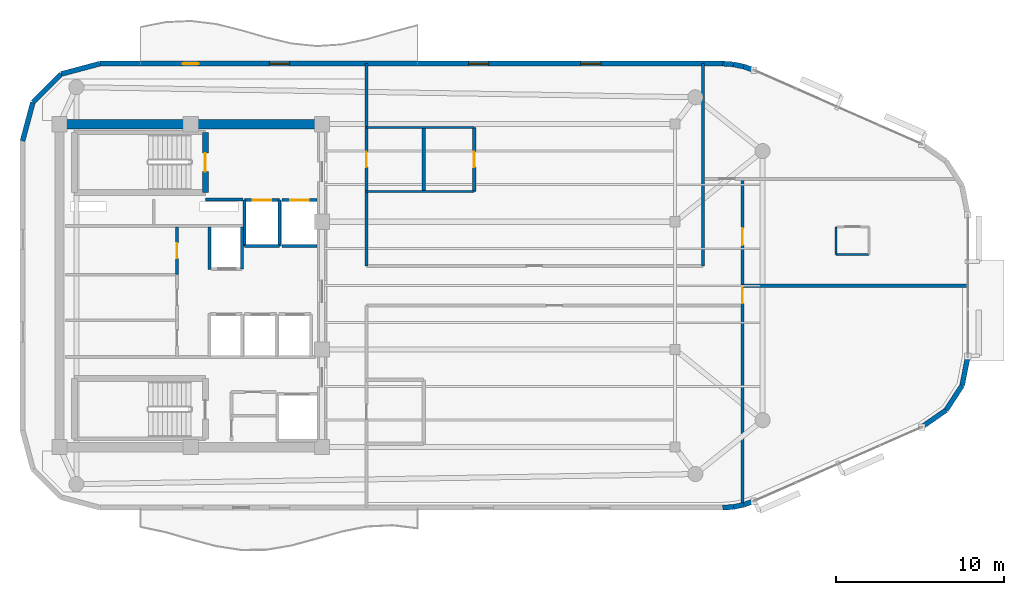
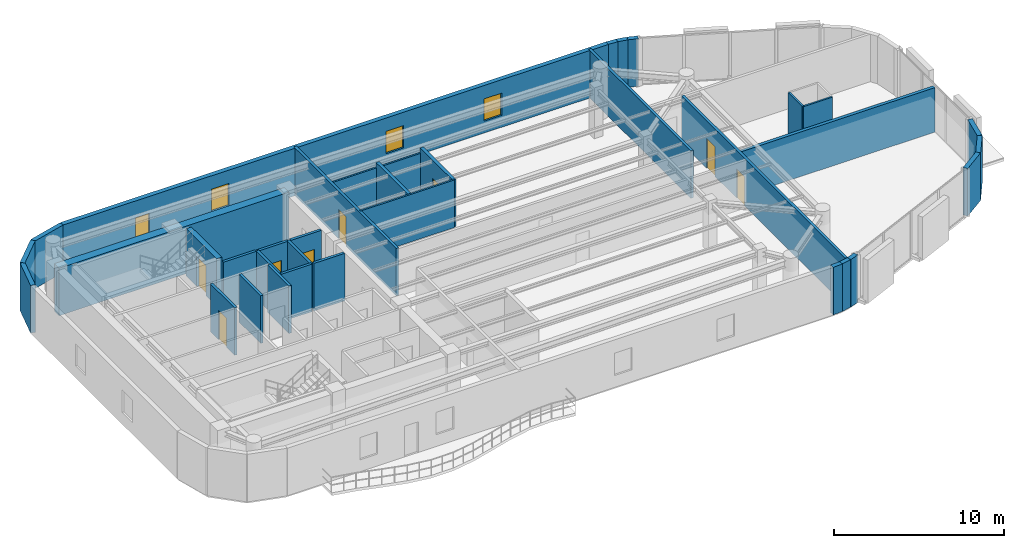
# One storey, part 9 of 12: 35 walls, 9 doors, 3 windows, 12 openings.
"""IFC4 building model written with IfcOpenShell, lengths in metres."""

from ifc_helpers import new_model, si_unit, direction, frame, frame_2d, origin, place, context, subcontext, project, spatial, rectangle, extrude, material, layer, layer_set, type_object, element, fill, save


model = new_model("IFC4")

# Units and contexts
model_context = context("Model", 3, precision=1e-05, world=origin(), true_north=direction((0.0, 1.0)))
body_context = subcontext(model_context, "Body", "Model", "MODEL_VIEW")
ifc_project = project(units=[si_unit("LENGTHUNIT", "METRE"), si_unit("AREAUNIT", "SQUARE_METRE"), si_unit("VOLUMEUNIT", "CUBIC_METRE"), si_unit("PLANEANGLEUNIT", "RADIAN"), si_unit("MASSUNIT", "GRAM", prefix="KILO")], contexts=[model_context])

# Site, building, storey
site_placement = place(None, origin())
site = spatial("IfcSite", under=ifc_project, at=site_placement, CompositionType="ELEMENT")
building_placement = place(site_placement, origin())
building = spatial("IfcBuilding", under=site, at=building_placement, Name="An Khanh Terracotta Commons", CompositionType="ELEMENT")
storey_placement = place(building_placement, frame((0.0, 0.0, 291.64990234375)))
storey = spatial("IfcBuildingStorey", under=building, at=storey_placement, Name="L76", CompositionType="ELEMENT", Elevation=291.64990234375)

# Walls
ifc_material_1 = material(Name="Concrete C50/60", Category="concrete")
ifc_layer_1 = layer(ifc_material_1, 0.550048828125, Name="Concrete C50/60")
ifc_layer_set_1 = layer_set([ifc_layer_1], Name="Concrete C50/60")
wall_type_1 = type_object("IfcWallType", Name="WALL-CORE-550", PredefinedType="SHEAR", material=ifc_layer_set_1)
wall_1_placement = place(storey_placement, frame((21.60009765625, 33.60009765625, 0.0), z_axis=(0.0, 0.0, 1.0), x_axis=(1.0, 0.0, 0.0)))
element("IfcWall", 1, at=wall_1_placement, inside=storey, type_object=wall_type_1, Name="L76 Core Wall CWALL-L76-N", PredefinedType="SHEAR", context=body_context, shape_type="SweptSolid", body=[
    extrude(rectangle(XDim=15.599853515625, YDim=0.550048828125, at=frame_2d((7.7998046875, 0.0))), origin(), (0.0, 0.0, 1.0), 3.41015625),
])
ifc_material_2 = material(Name="Fire-Rated Gypsum Board on Steel Stud", Category="steel")
ifc_layer_2 = layer(ifc_material_2, 0.179931640625, Name="Fire-Rated Gypsum Board on Steel Stud")
ifc_layer_set_2 = layer_set([ifc_layer_2], Name="Fire-Rated Gypsum Board on Steel Stud")
wall_type_2 = type_object("IfcWallType", Name="WALL-CORR-180", PredefinedType="PARTITIONING", material=ifc_layer_set_2)
wall_2_placement = place(storey_placement, frame((30.27001953125, 29.1201171875, 0.0), z_axis=(0.0, 0.0, 1.0), x_axis=(1.0, 0.0, 0.0)))
element("IfcWall", 2, at=wall_2_placement, inside=storey, type_object=wall_type_2, Name="L76 Core Wall FFLW-L76-S", PredefinedType="PARTITIONING", context=body_context, shape_type="SweptSolid", body=[
    extrude(rectangle(XDim=2.239990234375, YDim=0.179931640625, at=frame_2d((1.1201171875, 0.0))), origin(), (0.0, 0.0, 1.0), 3.41015625),
])

# Wall, opening, door
wall_3_placement = place(storey_placement, frame((32.60009765625, 29.080078125, 0.0), z_axis=(0.0, 0.0, 1.0), x_axis=(1.0, 0.0, 0.0)))
wall_3 = element("IfcWall", 3, at=wall_3_placement, inside=storey, type_object=wall_type_2, Name="L76 Core Wall LSH-L76-FFL-01-N", PredefinedType="PARTITIONING", context=body_context, shape_type="SweptSolid", body=[
    extrude(rectangle(XDim=2.079833984375, YDim=0.179931640625, at=frame_2d((1.0400390625, 0.0))), origin(), (0.0, 0.0, 1.0), 3.41015625),
])
opening_1_placement = place(wall_3_placement, frame((0.489990234375, 0.0, 0.0)))
opening_1 = element("IfcOpeningElement", 4, at=opening_1_placement, cuts=wall_3, Name="Opening LD-FFL-01-L76", PredefinedType="OPENING", context=body_context, shape_type="SweptSolid", body=[
    extrude(rectangle(XDim=1.10009765625, YDim=2.199951171875, at=frame_2d((0.550048828125, 1.10009765625))), frame((0.0, 0.099853515625, 0.0), z_axis=(0.0, -1.0, 0.0), x_axis=(1.0, 0.0, 0.0)), (0.0, 0.0, 1.0), 0.199951171875),
])
ifc_material_3 = material(Name="Brushed Stainless Steel Fire Landing Door", Category="steel")
door_type_1 = type_object("IfcDoorType", Name="DOOR-LD-FFL-1100", OperationType="NOTDEFINED", PredefinedType="DOOR", material=ifc_material_3)
door_1_placement = place(opening_1_placement, origin())
door_1 = element("IfcDoor", 5, at=door_1_placement, inside=storey, type_object=door_type_1, Name="L76 Lift FFL-01 Sliding Landing Door", OperationType="DOUBLE_DOOR_SLIDING", OverallHeight=2.199951171875, OverallWidth=1.10009765625, PredefinedType="DOOR", context=body_context, shape_type="SweptSolid", body=[
    extrude(rectangle(XDim=1.10009765625, YDim=2.199951171875, at=frame_2d((0.550048828125, 1.10009765625))), frame((0.0, 0.02490234375, 0.0), z_axis=(0.0, -1.0, 0.0), x_axis=(1.0, 0.0, 0.0)), (0.0, 0.0, 1.0), 0.050048828125),
])
fill(opening_1, door_1)

# Walls
wall_4_placement = place(storey_placement, frame((34.679931640625, 26.35009765625, 0.0), z_axis=(0.0, 0.0, 1.0), x_axis=(-1.0, 0.0, 0.0)))
element("IfcWall", 6, at=wall_4_placement, inside=storey, type_object=wall_type_2, Name="L76 Core Wall LSH-L76-FFL-01-S", PredefinedType="PARTITIONING", context=body_context, shape_type="SweptSolid", body=[
    extrude(rectangle(XDim=2.079833984375, YDim=0.179931640625, at=frame_2d((1.0400390625, 0.0))), origin(), (0.0, 0.0, 1.0), 3.41015625),
])
for number, where, z_axis, x_axis, name in (
    (7, (34.679931640625, 26.35009765625, 0.0), (0.0, 0.0, 1.0), (0.0, 1.0, 0.0), "L76 Core Wall LSH-L76-FFL-01-E"),
    (8, (32.60009765625, 29.080078125, 0.0), (0.0, 0.0, 1.0), (0.0, -1.0, 0.0), "L76 Core Wall LSH-L76-FFL-01-W"),
):
    element("IfcWall", number, at=place(storey_placement, frame(where, z_axis=z_axis, x_axis=x_axis)), inside=storey, type_object=wall_type_2, Name=name, PredefinedType="PARTITIONING", context=body_context, shape_type="SweptSolid", body=[
        extrude(rectangle(XDim=2.72998046875, YDim=0.179931640625, at=frame_2d((1.364990234375, 0.0))), origin(), (0.0, 0.0, 1.0), 3.41015625),
    ])

# Wall, opening, door
wall_5_placement = place(storey_placement, frame((34.820068359375, 29.080078125, 0.0), z_axis=(0.0, 0.0, 1.0), x_axis=(1.0, 0.0, 0.0)))
wall_5 = element("IfcWall", 9, at=wall_5_placement, inside=storey, type_object=wall_type_2, Name="L76 Core Wall LSH-L76-FFL-02-N", PredefinedType="PARTITIONING", context=body_context, shape_type="SweptSolid", body=[
    extrude(rectangle(XDim=2.079833984375, YDim=0.179931640625, at=frame_2d((1.0400390625, 0.0))), origin(), (0.0, 0.0, 1.0), 3.41015625),
])
opening_2_placement = place(wall_5_placement, frame((0.489990234375, 0.0, 0.0)))
opening_2 = element("IfcOpeningElement", 10, at=opening_2_placement, cuts=wall_5, Name="Opening LD-FFL-02-L76", PredefinedType="OPENING", context=body_context, shape_type="SweptSolid", body=[
    extrude(rectangle(XDim=1.10009765625, YDim=2.199951171875, at=frame_2d((0.550048828125, 1.10009765625))), frame((0.0, 0.099853515625, 0.0), z_axis=(0.0, -1.0, 0.0), x_axis=(1.0, 0.0, 0.0)), (0.0, 0.0, 1.0), 0.199951171875),
])
door_2_placement = place(opening_2_placement, origin())
door_2 = element("IfcDoor", 11, at=door_2_placement, inside=storey, type_object=door_type_1, Name="L76 Lift FFL-02 Sliding Landing Door", OperationType="DOUBLE_DOOR_SLIDING", OverallHeight=2.199951171875, OverallWidth=1.10009765625, PredefinedType="DOOR", context=body_context, shape_type="SweptSolid", body=[
    extrude(rectangle(XDim=1.10009765625, YDim=2.199951171875, at=frame_2d((0.550048828125, 1.10009765625))), frame((0.0, 0.02490234375, 0.0), z_axis=(0.0, -1.0, 0.0), x_axis=(1.0, 0.0, 0.0)), (0.0, 0.0, 1.0), 0.050048828125),
])
fill(opening_2, door_2)

# Walls
wall_6_placement = place(storey_placement, frame((36.89990234375, 26.35009765625, 0.0), z_axis=(0.0, 0.0, 1.0), x_axis=(-1.0, 0.0, 0.0)))
element("IfcWall", 12, at=wall_6_placement, inside=storey, type_object=wall_type_2, Name="L76 Core Wall LSH-L76-FFL-02-S", PredefinedType="PARTITIONING", context=body_context, shape_type="SweptSolid", body=[
    extrude(rectangle(XDim=2.079833984375, YDim=0.179931640625, at=frame_2d((1.0400390625, 0.0))), origin(), (0.0, 0.0, 1.0), 3.41015625),
])
wall_7_placement = place(storey_placement, frame((32.4599609375, 25.0, 0.0), z_axis=(0.0, 0.0, 1.0), x_axis=(0.0, 1.0, 0.0)))
element("IfcWall", 13, at=wall_7_placement, inside=storey, type_object=wall_type_2, Name="L76 Core Wall LSH-L76-PL-H1-E", PredefinedType="PARTITIONING", context=body_context, shape_type="SweptSolid", body=[
    extrude(rectangle(XDim=2.5, YDim=0.179931640625, at=frame_2d((1.25, 0.0))), origin(), (0.0, 0.0, 1.0), 3.41015625),
])
wall_8_placement = place(storey_placement, frame((30.52001953125, 24.949951171875, 0.0), z_axis=(0.0, 0.0, 1.0), x_axis=(0.0, 1.0, 0.0)))
element("IfcWall", 14, at=wall_8_placement, inside=storey, type_object=wall_type_2, Name="L76 Core Wall RECW-L76-BE1", PredefinedType="PARTITIONING", context=body_context, shape_type="SweptSolid", body=[
    extrude(rectangle(XDim=2.550048828125, YDim=0.179931640625, at=frame_2d((1.27490234375, 0.0))), origin(), (0.0, 0.0, 1.0), 3.41015625),
])

# Wall, opening, door
wall_9_placement = place(storey_placement, frame((28.580078125, 24.64990234375, 0.0), z_axis=(0.0, 0.0, 1.0), x_axis=(0.0, 1.0, 0.0)))
wall_9 = element("IfcWall", 15, at=wall_9_placement, inside=storey, type_object=wall_type_2, Name="L76 Core Wall RECW-L76-E1", PredefinedType="PARTITIONING", context=body_context, shape_type="SweptSolid", body=[
    extrude(rectangle(XDim=2.85009765625, YDim=0.179931640625, at=frame_2d((1.425048828125, 0.0))), origin(), (0.0, 0.0, 1.0), 3.41015625),
])
opening_3_placement = place(wall_9_placement, frame((0.965087890625, 0.0, 0.0)))
opening_3 = element("IfcOpeningElement", 16, at=opening_3_placement, cuts=wall_9, Name="Opening D-RM", PredefinedType="OPENING", context=body_context, shape_type="SweptSolid", body=[
    extrude(rectangle(XDim=0.919921875, YDim=2.10009765625, at=frame_2d((0.4599609375, 1.050048828125))), frame((0.0, 0.099853515625, 0.0), z_axis=(0.0, -1.0, 0.0), x_axis=(1.0, 0.0, 0.0)), (0.0, 0.0, 1.0), 0.199951171875),
])
ifc_material_4 = material(Name="Engineered Hardwood Timber Leaf", Category="wood")
door_type_2 = type_object("IfcDoorType", Name="DOOR-INT-920", OperationType="NOTDEFINED", PredefinedType="DOOR", material=ifc_material_4)
door_3_placement = place(opening_3_placement, origin())
door_3 = element("IfcDoor", 17, at=door_3_placement, inside=storey, type_object=door_type_2, Name="L76 Quiet Focus Pod Door", OperationType="SINGLE_SWING_RIGHT", OverallHeight=2.10009765625, OverallWidth=0.919921875, PredefinedType="DOOR", context=body_context, shape_type="SweptSolid", body=[
    extrude(rectangle(XDim=0.919921875, YDim=2.10009765625, at=frame_2d((0.4599609375, 1.050048828125))), frame((0.0, 0.02490234375, 0.0), z_axis=(0.0, -1.0, 0.0), x_axis=(1.0, 0.0, 0.0)), (0.0, 0.0, 1.0), 0.050048828125),
])
fill(opening_3, door_3)

wall_10_placement = place(storey_placement, frame((39.85009765625, 25.179931640625, 0.0), z_axis=(0.0, 0.0, 1.0), x_axis=(0.0, 1.0, 0.0)))
wall_10 = element("IfcWall", 18, at=wall_10_placement, inside=storey, type_object=wall_type_2, Name="L76 Interior Partition IW-L76-E010", PredefinedType="PARTITIONING", context=body_context, shape_type="SweptSolid", body=[
    extrude(rectangle(XDim=12.02001953125, YDim=0.179931640625, at=frame_2d((6.010009765625, 0.0))), origin(), (0.0, 0.0, 1.0), 3.41015625),
])
opening_4_placement = place(wall_10_placement, frame((5.8701171875, 0.0, 0.0)))
opening_4 = element("IfcOpeningElement", 19, at=opening_4_placement, cuts=wall_10, Name="Opening D-WC", PredefinedType="OPENING", context=body_context, shape_type="SweptSolid", body=[
    extrude(rectangle(XDim=0.89990234375, YDim=2.10009765625, at=frame_2d((0.449951171875, 1.050048828125))), frame((0.0, 0.099853515625, 0.0), z_axis=(0.0, -1.0, 0.0), x_axis=(1.0, 0.0, 0.0)), (0.0, 0.0, 1.0), 0.199951171875),
])
ifc_material_5 = material(Name="Laminate Moisture-Resistant Timber Leaf", Category="wood")
door_type_3 = type_object("IfcDoorType", Name="DOOR-WC-900", OperationType="NOTDEFINED", PredefinedType="DOOR", material=ifc_material_5)
door_4_placement = place(opening_4_placement, origin())
door_4 = element("IfcDoor", 20, at=door_4_placement, inside=storey, type_object=door_type_3, Name="L76 AWC Accessible WC Door", OperationType="SINGLE_SWING_RIGHT", OverallHeight=2.10009765625, OverallWidth=0.89990234375, PredefinedType="DOOR", context=body_context, shape_type="SweptSolid", body=[
    extrude(rectangle(XDim=0.89990234375, YDim=2.10009765625, at=frame_2d((0.449951171875, 1.050048828125))), frame((0.0, 0.02490234375, 0.0), z_axis=(0.0, -1.0, 0.0), x_axis=(1.0, 0.0, 0.0)), (0.0, 0.0, 1.0), 0.050048828125),
])
fill(opening_4, door_4)

# Wall
wall_11_placement = place(storey_placement, frame((59.85009765625, 25.179931640625, 0.0), z_axis=(0.0, 0.0, 1.0), x_axis=(0.0, 1.0, 0.0)))
element("IfcWall", 21, at=wall_11_placement, inside=storey, type_object=wall_type_2, Name="L76 Interior Partition IW-L76-E014", PredefinedType="PARTITIONING", context=body_context, shape_type="SweptSolid", body=[
    extrude(rectangle(XDim=12.02001953125, YDim=0.179931640625, at=frame_2d((6.010009765625, 0.0))), origin(), (0.0, 0.0, 1.0), 3.41015625),
])

# Wall, openings, doors
wall_12_placement = place(storey_placement, frame((62.199951171875, 11.1201171875, 0.0), z_axis=(0.0, 0.0, 1.0), x_axis=(0.0, 1.0, 0.0)))
wall_12 = element("IfcWall", 22, at=wall_12_placement, inside=storey, type_object=wall_type_2, Name="L76 Interior Partition IW-L76-E015", PredefinedType="PARTITIONING", context=body_context, shape_type="SweptSolid", body=[
    extrude(rectangle(XDim=19.22998046875, YDim=0.179931640625, at=frame_2d((9.614990234375, 0.0))), origin(), (0.0, 0.0, 1.0), 3.41015625),
])
opening_5_placement = place(wall_12_placement, frame((15.294921875, 0.0, 0.0)))
opening_5 = element("IfcOpeningElement", 23, at=opening_5_placement, cuts=wall_12, Name="Opening D-UN", PredefinedType="OPENING", context=body_context, shape_type="SweptSolid", body=[
    extrude(rectangle(XDim=1.0, YDim=2.14990234375, at=frame_2d((0.5, 1.074951171875))), frame((0.0, 0.099853515625, 0.0), z_axis=(0.0, -1.0, 0.0), x_axis=(1.0, 0.0, 0.0)), (0.0, 0.0, 1.0), 0.199951171875),
])
opening_6_placement = place(wall_12_placement, frame((11.830078125, 0.0, 0.0)))
opening_6 = element("IfcOpeningElement", 24, at=opening_6_placement, cuts=wall_12, Name="Opening D-RM", PredefinedType="OPENING", context=body_context, shape_type="SweptSolid", body=[
    extrude(rectangle(XDim=0.919921875, YDim=2.10009765625, at=frame_2d((0.4599609375, 1.050048828125))), frame((0.0, 0.099853515625, 0.0), z_axis=(0.0, -1.0, 0.0), x_axis=(1.0, 0.0, 0.0)), (0.0, 0.0, 1.0), 0.199951171875),
])
door_5_placement = place(opening_6_placement, origin())
door_5 = element("IfcDoor", 25, at=door_5_placement, inside=storey, type_object=door_type_2, Name="L76 ZE2 Academic Seminar Room Door", OperationType="SINGLE_SWING_RIGHT", OverallHeight=2.10009765625, OverallWidth=0.919921875, PredefinedType="DOOR", context=body_context, shape_type="SweptSolid", body=[
    extrude(rectangle(XDim=0.919921875, YDim=2.10009765625, at=frame_2d((0.4599609375, 1.050048828125))), frame((0.0, 0.02490234375, 0.0), z_axis=(0.0, -1.0, 0.0), x_axis=(1.0, 0.0, 0.0)), (0.0, 0.0, 1.0), 0.050048828125),
])
fill(opening_6, door_5)
ifc_material_6 = material(Name="Solid-Core Hardwood Acoustic Fire Door", Category="wood")
door_type_4 = type_object("IfcDoorType", Name="DOOR-UNIT-1000", OperationType="NOTDEFINED", PredefinedType="DOOR", material=ifc_material_6)
door_6_placement = place(opening_5_placement, origin())
door_6 = element("IfcDoor", 26, at=door_6_placement, inside=storey, type_object=door_type_4, Name="L76 ZE1 Kitchenette and Studio Apartment Door", OperationType="SINGLE_SWING_LEFT", OverallHeight=2.14990234375, OverallWidth=1.0, PredefinedType="DOOR", context=body_context, shape_type="SweptSolid", body=[
    extrude(rectangle(XDim=1.0, YDim=2.14990234375, at=frame_2d((0.5, 1.074951171875))), frame((0.0, 0.02490234375, 0.0), z_axis=(0.0, -1.0, 0.0), x_axis=(1.0, 0.0, 0.0)), (0.0, 0.0, 1.0), 0.050048828125),
])
fill(opening_5, door_6)

# Walls
ifc_material_7 = material(Name="Precast concrete C40/50", Category="concrete")
ifc_layer_3 = layer(ifc_material_7, 0.300048828125, Name="Precast concrete C40/50")
ifc_layer_set_3 = layer_set([ifc_layer_3], Name="Precast concrete C40/50")
wall_type_3 = type_object("IfcWallType", Name="WALL-EXT-300", PredefinedType="SOLIDWALL", material=ifc_layer_set_3)
wall_13_placement = place(storey_placement, frame((61.030029296875, 10.800048828125, 0.0), z_axis=(0.0, 0.0, 1.0), x_axis=(0.997613959688, 0.069039028352, 0.0)))
element("IfcWall", 27, at=wall_13_placement, inside=storey, type_object=wall_type_3, Name="L76 Insulated Terracotta Exterior Wall 5", PredefinedType="SOLIDWALL", context=body_context, shape_type="SweptSolid", body=[
    extrude(rectangle(XDim=0.636474609375, YDim=0.300048828125, at=frame_2d((0.318359375, 0.0))), origin(), (0.0, 0.0, 1.0), 3.41015625),
])
wall_14_placement = place(storey_placement, frame((61.6650390625, 10.843994140625, 0.0), z_axis=(0.0, 0.0, 1.0), x_axis=(0.97857012251, 0.205913854149, 0.0)))
element("IfcWall", 28, at=wall_14_placement, inside=storey, type_object=wall_type_3, Name="L76 Insulated Terracotta Exterior Wall 6", PredefinedType="SOLIDWALL", context=body_context, shape_type="SweptSolid", body=[
    extrude(rectangle(XDim=0.63671875, YDim=0.300048828125, at=frame_2d((0.318359375, 0.0))), origin(), (0.0, 0.0, 1.0), 3.41015625),
])
wall_15_placement = place(storey_placement, frame((62.2880859375, 10.97509765625, 0.0), z_axis=(0.0, 0.0, 1.0), x_axis=(0.94077491148, 0.339031806665, 0.0)))
element("IfcWall", 29, at=wall_15_placement, inside=storey, type_object=wall_type_3, Name="L76 Insulated Terracotta Exterior Wall 7", PredefinedType="SOLIDWALL", context=body_context, shape_type="SweptSolid", body=[
    extrude(rectangle(XDim=0.636474609375, YDim=0.300048828125, at=frame_2d((0.318359375, 0.0))), origin(), (0.0, 0.0, 1.0), 3.41015625),
])
wall_16_placement = place(storey_placement, frame((72.85693359375, 15.590087890625, 0.0), z_axis=(0.0, 0.0, 1.0), x_axis=(0.821006966142, 0.570918174124, 0.0)))
element("IfcWall", 30, at=wall_16_placement, inside=storey, type_object=wall_type_3, Name="L76 Insulated Terracotta Exterior Wall 9", PredefinedType="SOLIDWALL", context=body_context, shape_type="SweptSolid", body=[
    extrude(rectangle(XDim=1.760009765625, YDim=0.300048828125, at=frame_2d((0.8798828125, 0.0))), origin(), (0.0, 0.0, 1.0), 3.41015625),
])
for number, where, z_axis, x_axis, name in (
    (31, (74.302001953125, 16.594970703125, 0.0), (0.0, 0.0, 1.0), (0.545836224831, 0.837891887813, 0.0), "L76 Insulated Terracotta Exterior Wall 10"),
    (32, (75.262939453125, 18.070068359375, 0.0), (0.0, 0.0, 1.0), (0.1915005851, 0.981492499159, 0.0), "L76 Insulated Terracotta Exterior Wall 11"),
):
    element("IfcWall", number, at=place(storey_placement, frame(where, z_axis=z_axis, x_axis=x_axis)), inside=storey, type_object=wall_type_3, Name=name, PredefinedType="SOLIDWALL", context=body_context, shape_type="SweptSolid", body=[
        extrude(rectangle(XDim=1.760498046875, YDim=0.300048828125, at=frame_2d((0.88037109375, 0.0))), origin(), (0.0, 0.0, 1.0), 3.41015625),
    ])
wall_17_placement = place(storey_placement, frame((62.886962890625, 36.80908203125, 0.0), z_axis=(0.0, 0.0, 1.0), x_axis=(-0.94077491148, 0.339031806665, 0.0)))
element("IfcWall", 33, at=wall_17_placement, inside=storey, type_object=wall_type_3, Name="L76 Insulated Terracotta Exterior Wall 17", PredefinedType="SOLIDWALL", context=body_context, shape_type="SweptSolid", body=[
    extrude(rectangle(XDim=0.636474609375, YDim=0.300048828125, at=frame_2d((0.318359375, 0.0))), origin(), (0.0, 0.0, 1.0), 3.41015625),
])
wall_18_placement = place(storey_placement, frame((62.2880859375, 37.02490234375, 0.0), z_axis=(0.0, 0.0, 1.0), x_axis=(-0.97857012251, 0.205913854149, 0.0)))
element("IfcWall", 34, at=wall_18_placement, inside=storey, type_object=wall_type_3, Name="L76 Insulated Terracotta Exterior Wall 18", PredefinedType="SOLIDWALL", context=body_context, shape_type="SweptSolid", body=[
    extrude(rectangle(XDim=0.63671875, YDim=0.300048828125, at=frame_2d((0.318359375, 0.0))), origin(), (0.0, 0.0, 1.0), 3.41015625),
])
wall_19_placement = place(storey_placement, frame((61.6650390625, 37.156005859375, 0.0), z_axis=(0.0, 0.0, 1.0), x_axis=(-0.997613959688, 0.069039028352, 0.0)))
element("IfcWall", 35, at=wall_19_placement, inside=storey, type_object=wall_type_3, Name="L76 Insulated Terracotta Exterior Wall 19", PredefinedType="SOLIDWALL", context=body_context, shape_type="SweptSolid", body=[
    extrude(rectangle(XDim=0.636474609375, YDim=0.300048828125, at=frame_2d((0.318359375, 0.0))), origin(), (0.0, 0.0, 1.0), 3.41015625),
])

# Wall, openings, door, windows
wall_20_placement = place(storey_placement, frame((61.030029296875, 37.199951171875, 0.0), z_axis=(0.0, 0.0, 1.0), x_axis=(-1.0, 0.0, 0.0)))
wall_20 = element("IfcWall", 36, at=wall_20_placement, inside=storey, type_object=wall_type_3, Name="L76 Insulated Terracotta Exterior Wall 20", PredefinedType="SOLIDWALL", context=body_context, shape_type="SweptSolid", body=[
    extrude(rectangle(XDim=37.030029296875, YDim=0.300048828125, at=frame_2d((18.51513671875, 0.0))), origin(), (0.0, 0.0, 1.0), 3.41015625),
])
opening_7_placement = place(wall_20_placement, frame((31.155029296875, 0.0, 0.0)))
opening_7 = element("IfcOpeningElement", 37, at=opening_7_placement, cuts=wall_20, Name="Opening D-BAL", PredefinedType="OPENING", context=body_context, shape_type="SweptSolid", body=[
    extrude(rectangle(XDim=0.949951171875, YDim=2.199951171875, at=frame_2d((0.47509765625, 1.10009765625))), frame((0.0, 0.159912109375, 0.0), z_axis=(0.0, -1.0, 0.0), x_axis=(1.0, 0.0, 0.0)), (0.0, 0.0, 1.0), 0.320068359375),
])
opening_8_placement = place(wall_20_placement, frame((7.2470703125, 0.0, 0.85009765625)))
opening_8 = element("IfcOpeningElement", 38, at=opening_8_placement, cuts=wall_20, Name="Opening W-05", PredefinedType="OPENING", context=body_context, shape_type="SweptSolid", body=[
    extrude(rectangle(XDim=1.199951171875, YDim=1.60009765625, at=frame_2d((0.60009765625, 0.800048828125))), frame((0.0, 0.159912109375, 0.0), z_axis=(0.0, -1.0, 0.0), x_axis=(1.0, 0.0, 0.0)), (0.0, 0.0, 1.0), 0.320068359375),
])
opening_9_placement = place(wall_20_placement, frame((13.9130859375, 0.0, 0.85009765625)))
opening_9 = element("IfcOpeningElement", 39, at=opening_9_placement, cuts=wall_20, Name="Opening W-05", PredefinedType="OPENING", context=body_context, shape_type="SweptSolid", body=[
    extrude(rectangle(XDim=1.199951171875, YDim=1.60009765625, at=frame_2d((0.60009765625, 0.800048828125))), frame((0.0, 0.159912109375, 0.0), z_axis=(0.0, -1.0, 0.0), x_axis=(1.0, 0.0, 0.0)), (0.0, 0.0, 1.0), 0.320068359375),
])
opening_10_placement = place(wall_20_placement, frame((25.7470703125, 0.0, 0.85009765625)))
opening_10 = element("IfcOpeningElement", 40, at=opening_10_placement, cuts=wall_20, Name="Opening W-05", PredefinedType="OPENING", context=body_context, shape_type="SweptSolid", body=[
    extrude(rectangle(XDim=1.199951171875, YDim=1.60009765625, at=frame_2d((0.60009765625, 0.800048828125))), frame((0.0, 0.159912109375, 0.0), z_axis=(0.0, -1.0, 0.0), x_axis=(1.0, 0.0, 0.0)), (0.0, 0.0, 1.0), 0.320068359375),
])
ifc_material_8 = material(Name="Thermally Broken Aluminium and Low-E Glass", Category="aluminium")
door_type_5 = type_object("IfcDoorType", Name="DOOR-BALC-950", OperationType="NOTDEFINED", PredefinedType="DOOR", material=ifc_material_8)
door_7_placement = place(opening_7_placement, origin())
door_7 = element("IfcDoor", 41, at=door_7_placement, inside=storey, type_object=door_type_5, Name="L76 N Wave Balcony Glazed Door", OperationType="SINGLE_SWING_RIGHT", OverallHeight=2.199951171875, OverallWidth=0.949951171875, PredefinedType="DOOR", context=body_context, shape_type="SweptSolid", body=[
    extrude(rectangle(XDim=0.949951171875, YDim=2.199951171875, at=frame_2d((0.47509765625, 1.10009765625))), frame((0.0, 0.02490234375, 0.0), z_axis=(0.0, -1.0, 0.0), x_axis=(1.0, 0.0, 0.0)), (0.0, 0.0, 1.0), 0.050048828125),
])
fill(opening_7, door_7)
window_type = type_object("IfcWindowType", Name="WIN-Z5-1200x1600", PartitioningType="SINGLE_PANEL", PredefinedType="WINDOW", material=ifc_material_8)
window_1_placement = place(opening_8_placement, origin())
window_1 = element("IfcWindow", 42, at=window_1_placement, inside=storey, type_object=window_type, Name="L76 Operable Casement Window 20.1", OverallHeight=1.60009765625, OverallWidth=1.199951171875, PartitioningType="SINGLE_PANEL", PredefinedType="WINDOW", context=body_context, shape_type="SweptSolid", body=[
    extrude(rectangle(XDim=1.199951171875, YDim=1.60009765625, at=frame_2d((0.60009765625, 0.800048828125))), frame((0.0, 0.030029296875, 0.0), z_axis=(0.0, -1.0, 0.0), x_axis=(1.0, 0.0, 0.0)), (0.0, 0.0, 1.0), 0.06005859375),
])
fill(opening_8, window_1)
window_2_placement = place(opening_9_placement, origin())
window_2 = element("IfcWindow", 43, at=window_2_placement, inside=storey, type_object=window_type, Name="L76 Operable Casement Window 20.2", OverallHeight=1.60009765625, OverallWidth=1.199951171875, PartitioningType="SINGLE_PANEL", PredefinedType="WINDOW", context=body_context, shape_type="SweptSolid", body=[
    extrude(rectangle(XDim=1.199951171875, YDim=1.60009765625, at=frame_2d((0.60009765625, 0.800048828125))), frame((0.0, 0.030029296875, 0.0), z_axis=(0.0, -1.0, 0.0), x_axis=(1.0, 0.0, 0.0)), (0.0, 0.0, 1.0), 0.06005859375),
])
fill(opening_9, window_2)
window_3_placement = place(opening_10_placement, origin())
window_3 = element("IfcWindow", 44, at=window_3_placement, inside=storey, type_object=window_type, Name="L76 Operable Casement Window 20.3", OverallHeight=1.60009765625, OverallWidth=1.199951171875, PartitioningType="SINGLE_PANEL", PredefinedType="WINDOW", context=body_context, shape_type="SweptSolid", body=[
    extrude(rectangle(XDim=1.199951171875, YDim=1.60009765625, at=frame_2d((0.60009765625, 0.800048828125))), frame((0.0, 0.030029296875, 0.0), z_axis=(0.0, -1.0, 0.0), x_axis=(1.0, 0.0, 0.0)), (0.0, 0.0, 1.0), 0.06005859375),
])
fill(opening_10, window_3)

# Walls
wall_21_placement = place(storey_placement, frame((24.0, 37.199951171875, 0.0), z_axis=(0.0, 0.0, 1.0), x_axis=(-0.965960405575, -0.25868995895, 0.0)))
element("IfcWall", 45, at=wall_21_placement, inside=storey, type_object=wall_type_3, Name="L76 Insulated Terracotta Exterior Wall 21", PredefinedType="SOLIDWALL", context=body_context, shape_type="SweptSolid", body=[
    extrude(rectangle(XDim=2.381103515625, YDim=0.300048828125, at=frame_2d((1.1904296875, 0.0))), origin(), (0.0, 0.0, 1.0), 3.41015625),
])
wall_22_placement = place(storey_placement, frame((21.699951171875, 36.583984375, 0.0), z_axis=(0.0, 0.0, 1.0), x_axis=(-0.707055521135, -0.707158037522, 0.0)))
element("IfcWall", 46, at=wall_22_placement, inside=storey, type_object=wall_type_3, Name="L76 Insulated Terracotta Exterior Wall 22", PredefinedType="SOLIDWALL", context=body_context, shape_type="SweptSolid", body=[
    extrude(rectangle(XDim=2.381591796875, YDim=0.300048828125, at=frame_2d((1.19091796875, 0.0))), origin(), (0.0, 0.0, 1.0), 3.41015625),
])
wall_23_placement = place(storey_placement, frame((20.01611328125, 34.89990234375, 0.0), z_axis=(0.0, 0.0, 1.0), x_axis=(-0.258811258154, -0.965927912762, 0.0)))
element("IfcWall", 47, at=wall_23_placement, inside=storey, type_object=wall_type_3, Name="L76 Insulated Terracotta Exterior Wall 23", PredefinedType="SOLIDWALL", context=body_context, shape_type="SweptSolid", body=[
    extrude(rectangle(XDim=2.380859375, YDim=0.300048828125, at=frame_2d((1.1904296875, 0.0))), origin(), (0.0, 0.0, 1.0), 3.41015625),
])
ifc_material_9 = material(Name="Acoustic Double-Stud Gypsum and Mineral Wool")
ifc_layer_4 = layer(ifc_material_9, 0.219970703125, Name="Acoustic Double-Stud Gypsum and Mineral Wool")
ifc_layer_set_4 = layer_set([ifc_layer_4], Name="Acoustic Double-Stud Gypsum and Mineral Wool")
wall_type_4 = type_object("IfcWallType", Name="WALL-PARTY-220", PredefinedType="PARTITIONING", material=ifc_layer_set_4)
wall_24_placement = place(storey_placement, frame((62.199951171875, 24.0, 0.0), z_axis=(0.0, 0.0, 1.0), x_axis=(1.0, 0.0, 0.0)))
element("IfcWall", 48, at=wall_24_placement, inside=storey, type_object=wall_type_4, Name="L76 Interior Partition IW-L76-E004", PredefinedType="PARTITIONING", context=body_context, shape_type="SweptSolid", body=[
    extrude(rectangle(XDim=13.400146484375, YDim=0.219970703125, at=frame_2d((6.7001953125, 0.0))), origin(), (0.0, 0.0, 1.0), 3.192138671875),
])
wall_25_placement = place(storey_placement, frame((43.25, 29.60009765625, 0.0), z_axis=(0.0, 0.0, 1.0), x_axis=(0.0, 1.0, 0.0)))
element("IfcWall", 49, at=wall_25_placement, inside=storey, type_object=wall_type_4, Name="L76 Interior Partition IW-L76-E012", PredefinedType="PARTITIONING", context=body_context, shape_type="SweptSolid", body=[
    extrude(rectangle(XDim=3.7998046875, YDim=0.219970703125, at=frame_2d((1.89990234375, 0.0))), origin(), (0.0, 0.0, 1.0), 3.41015625),
])

# Wall, opening, door
wall_26_placement = place(storey_placement, frame((46.25, 29.60009765625, 0.0), z_axis=(0.0, 0.0, 1.0), x_axis=(0.0, 1.0, 0.0)))
wall_26 = element("IfcWall", 50, at=wall_26_placement, inside=storey, type_object=wall_type_4, Name="L76 Interior Partition IW-L76-E013", PredefinedType="PARTITIONING", context=body_context, shape_type="SweptSolid", body=[
    extrude(rectangle(XDim=3.7998046875, YDim=0.219970703125, at=frame_2d((1.89990234375, 0.0))), origin(), (0.0, 0.0, 1.0), 3.41015625),
])
opening_11_placement = place(wall_26_placement, frame((1.43994140625, 0.0, 0.0)))
opening_11 = element("IfcOpeningElement", 51, at=opening_11_placement, cuts=wall_26, Name="Opening D-RM", PredefinedType="OPENING", context=body_context, shape_type="SweptSolid", body=[
    extrude(rectangle(XDim=0.919921875, YDim=2.10009765625, at=frame_2d((0.4599609375, 1.050048828125))), frame((0.0, 0.119873046875, 0.0), z_axis=(0.0, -1.0, 0.0), x_axis=(1.0, 0.0, 0.0)), (0.0, 0.0, 1.0), 0.239990234375),
])
door_8_placement = place(opening_11_placement, origin())
door_8 = element("IfcDoor", 52, at=door_8_placement, inside=storey, type_object=door_type_2, Name="L76 HKP Housekeeping Linen Store Door", OperationType="SINGLE_SWING_LEFT", OverallHeight=2.10009765625, OverallWidth=0.919921875, PredefinedType="DOOR", context=body_context, shape_type="SweptSolid", body=[
    extrude(rectangle(XDim=0.919921875, YDim=2.10009765625, at=frame_2d((0.4599609375, 1.050048828125))), frame((0.0, 0.02490234375, 0.0), z_axis=(0.0, -1.0, 0.0), x_axis=(1.0, 0.0, 0.0)), (0.0, 0.0, 1.0), 0.050048828125),
])
fill(opening_11, door_8)

ifc_layer_5 = layer(ifc_material_1, 0.35009765625, Name="Concrete C50/60")
ifc_layer_set_5 = layer_set([ifc_layer_5], Name="Concrete C50/60")
wall_type_5 = type_object("IfcWallType", Name="WALL-SHAFT-350", PredefinedType="SOLIDWALL", material=ifc_layer_set_5)
wall_27_placement = place(storey_placement, frame((30.27001953125, 29.530029296875, 0.0), z_axis=(0.0, 0.0, 1.0), x_axis=(0.0, 1.0, 0.0)))
wall_27 = element("IfcWall", 53, at=wall_27_placement, inside=storey, type_object=wall_type_5, Name="L76 Core Wall STW-L76-N-E", PredefinedType="SOLIDWALL", context=body_context, shape_type="SweptSolid", body=[
    extrude(rectangle(XDim=3.580078125, YDim=0.35009765625, at=frame_2d((1.7900390625, 0.0))), origin(), (0.0, 0.0, 1.0), 3.41015625),
])
opening_12_placement = place(wall_27_placement, frame((1.25, 0.0, 0.0)))
opening_12 = element("IfcOpeningElement", 54, at=opening_12_placement, cuts=wall_27, Name="Opening D-ST", PredefinedType="OPENING", context=body_context, shape_type="SweptSolid", body=[
    extrude(rectangle(XDim=1.10009765625, YDim=2.14990234375, at=frame_2d((0.550048828125, 1.074951171875))), frame((0.0, 0.18505859375, 0.0), z_axis=(0.0, -1.0, 0.0), x_axis=(1.0, 0.0, 0.0)), (0.0, 0.0, 1.0), 0.3701171875),
])
ifc_material_10 = material(Name="Fire-Rated Steel Leaf and Frame", Category="steel")
door_type_6 = type_object("IfcDoorType", Name="DOOR-STAIR-1100", OperationType="NOTDEFINED", PredefinedType="DOOR", material=ifc_material_10)
door_9_placement = place(opening_12_placement, origin())
door_9 = element("IfcDoor", 55, at=door_9_placement, inside=storey, type_object=door_type_6, Name="L76 Stair ST-01 Fire Door", OperationType="SINGLE_SWING_RIGHT", OverallHeight=2.14990234375, OverallWidth=1.10009765625, PredefinedType="DOOR", context=body_context, shape_type="SweptSolid", body=[
    extrude(rectangle(XDim=1.10009765625, YDim=2.14990234375, at=frame_2d((0.550048828125, 1.074951171875))), frame((0.0, 0.02490234375, 0.0), z_axis=(0.0, -1.0, 0.0), x_axis=(1.0, 0.0, 0.0)), (0.0, 0.0, 1.0), 0.050048828125),
])
fill(opening_12, door_9)

# Walls
ifc_material_11 = material(Name="Moisture-Resistant Cement Board Partition")
ifc_layer_6 = layer(ifc_material_11, 0.1201171875, Name="Moisture-Resistant Cement Board Partition")
ifc_layer_set_6 = layer_set([ifc_layer_6], Name="Moisture-Resistant Cement Board Partition")
wall_type_6 = type_object("IfcWallType", Name="WALL-WET-120", PredefinedType="PARTITIONING", material=ifc_layer_set_6)
wall_28_placement = place(storey_placement, frame((69.715087890625, 25.85107421875, 0.0), z_axis=(0.0, 0.0, 1.0), x_axis=(-1.0, 0.0, 0.0)))
element("IfcWall", 56, at=wall_28_placement, inside=storey, type_object=wall_type_6, Name="L76 Interior Partition IW-L76-ZE1-BS", PredefinedType="PARTITIONING", context=body_context, shape_type="SweptSolid", body=[
    extrude(rectangle(XDim=1.9501953125, YDim=0.1201171875, at=frame_2d((0.97509765625, 0.0))), origin(), (0.0, 0.0, 1.0), 3.41015625),
])
wall_29_placement = place(storey_placement, frame((67.764892578125, 27.5009765625, 0.0), z_axis=(0.0, 0.0, 1.0), x_axis=(0.0, -1.0, 0.0)))
element("IfcWall", 57, at=wall_29_placement, inside=storey, type_object=wall_type_6, Name="L76 Interior Partition IW-L76-ZE1-BW", PredefinedType="PARTITIONING", context=body_context, shape_type="SweptSolid", body=[
    extrude(rectangle(XDim=1.64990234375, YDim=0.1201171875, at=frame_2d((0.824951171875, 0.0))), origin(), (0.0, 0.0, 1.0), 3.41015625),
])
wall_30_placement = place(storey_placement, frame((39.85009765625, 29.60009765625, 0.0), z_axis=(0.0, 0.0, 1.0), x_axis=(1.0, 0.0, 0.0)))
element("IfcWall", 58, at=wall_30_placement, inside=storey, type_object=wall_type_6, Name="L76 Interior Partition IW-L76-E006", PredefinedType="PARTITIONING", context=body_context, shape_type="SweptSolid", body=[
    extrude(rectangle(XDim=6.39990234375, YDim=0.1201171875, at=frame_2d((3.199951171875, 0.0))), origin(), (0.0, 0.0, 1.0), 3.41015625),
])
wall_31_placement = place(storey_placement, frame((39.85009765625, 33.39990234375, 0.0), z_axis=(0.0, 0.0, 1.0), x_axis=(1.0, 0.0, 0.0)))
element("IfcWall", 59, at=wall_31_placement, inside=storey, type_object=wall_type_6, Name="L76 Interior Partition IW-L76-E008", PredefinedType="PARTITIONING", context=body_context, shape_type="SweptSolid", body=[
    extrude(rectangle(XDim=6.39990234375, YDim=0.1201171875, at=frame_2d((3.199951171875, 0.0))), origin(), (0.0, 0.0, 1.0), 3.052001953125),
])

save(model, "model.ifc")
